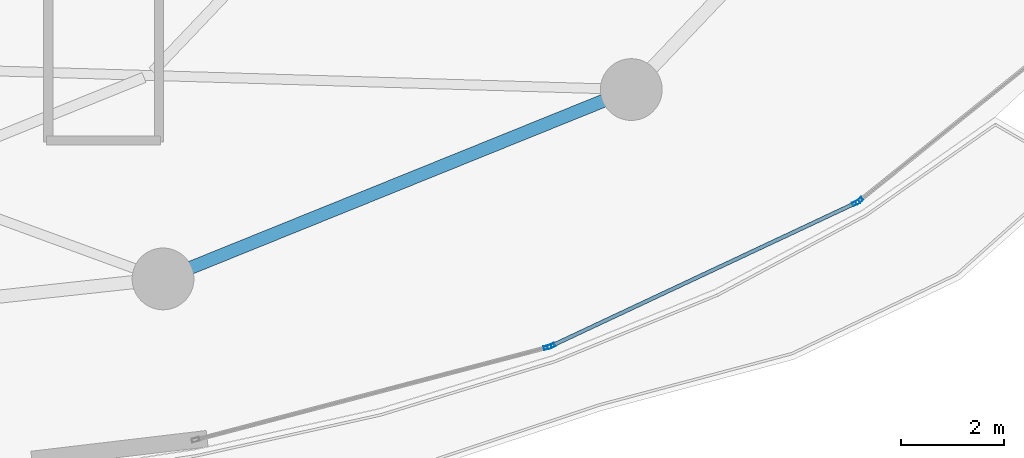
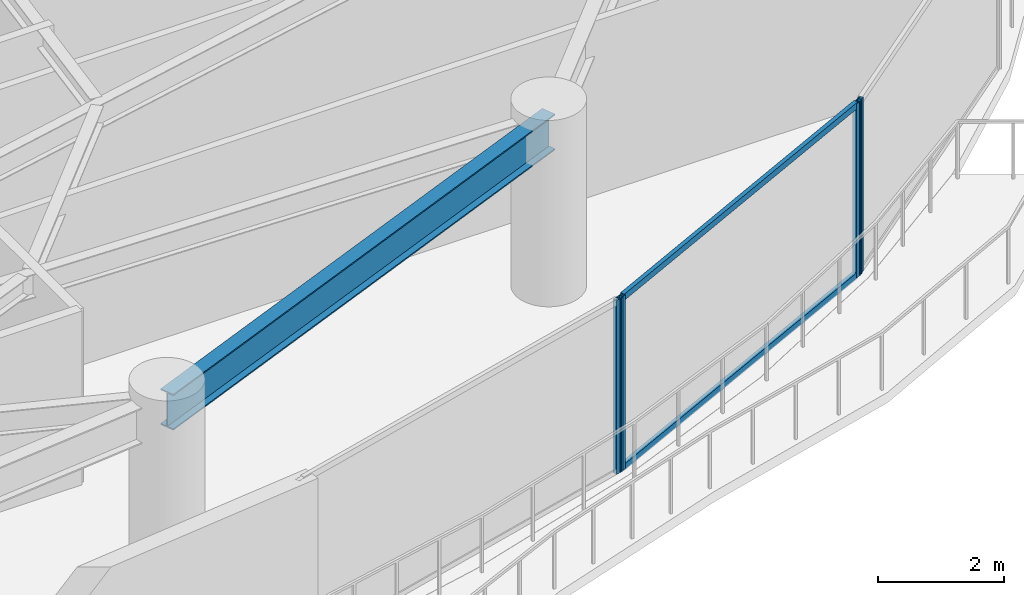
# One storey, part 14 of 34: 6 members, 1 beam, 3 elements without a shape of their own.
"""IFC4 building model written with IfcOpenShell, lengths in metres."""

from ifc_helpers import new_model, si_unit, direction, frame, origin, origin_2d, place, context, subcontext, project, spatial, hollow_rectangle, i_section, extrude, material, layer, layer_set, material_profile, profile_set, type_object, element, aggregate, save


model = new_model("IFC4")

# Units and contexts
model_context = context("Model", 3, precision=1e-05, world=origin(), true_north=direction((0.0, 1.0)))
body_context = subcontext(model_context, "Body", "Model", "MODEL_VIEW")
ifc_project = project(units=[si_unit("LENGTHUNIT", "METRE"), si_unit("AREAUNIT", "SQUARE_METRE"), si_unit("VOLUMEUNIT", "CUBIC_METRE"), si_unit("PLANEANGLEUNIT", "RADIAN"), si_unit("MASSUNIT", "GRAM", prefix="KILO")], contexts=[model_context])

# Site, building, storey
site_placement = place(None, origin())
site = spatial("IfcSite", under=ifc_project, at=site_placement, CompositionType="ELEMENT")
building_placement = place(site_placement, origin())
building = spatial("IfcBuilding", under=site, at=building_placement, Name="Kazevale Care Tower and Concert Hall", CompositionType="ELEMENT")
storey_placement = place(building_placement, frame((0.0, 0.0, 163.800048828125)))
storey = spatial("IfcBuildingStorey", under=building, at=storey_placement, Name="L43", CompositionType="ELEMENT", Elevation=163.800048828125)

# Curtain wall, member
ifc_material_1 = material(Name="Aluminium 6063-T6 and Low-E Glass", Category="aluminium")
ifc_layer = layer(ifc_material_1, 0.179931640625)
ifc_layer_set = layer_set([ifc_layer], Name="Aluminium 6063-T6 and Low-E Glass")
curtain_wall_type = type_object("IfcCurtainWallType", Name="Sheltered Concave Balcony Curtain Wall CW-5", PredefinedType="NOTDEFINED", material=ifc_layer_set)
curtain_wall_1_placement = place(storey_placement, origin())
curtain_wall_1 = element("IfcCurtainWall", 1, at=curtain_wall_1_placement, inside=storey, type_object=curtain_wall_type, Name="cw:L43:f02", PredefinedType="NOTDEFINED")
ifc_material_2 = material(Name="Aluminium 6063-T6", Category="aluminium")
ifc_material_profile_1 = material_profile(ifc_material_2, hollow_rectangle(XDim=0.074951171875, YDim=0.14990234375, WallThickness=0.00390625, at=origin_2d()), Name="ALU75x150x4")
ifc_profile_set_1 = profile_set([ifc_material_profile_1], Name="Aluminium 6063-T6")
member_type_1 = type_object("IfcMemberType", Name="CW-5 Mullion ALU75x150x4", PredefinedType="MULLION", material=ifc_profile_set_1)
member_1_placement = place(storey_placement, frame((69.25927734375, 20.826416015625, 0.0), z_axis=(0.0, 0.0, 1.0), x_axis=(0.626905357502, -0.779095419531, 0.0)))
member_1 = element("IfcMember", 2, at=member_1_placement, type_object=member_type_1, Name="CW-5 mullion 2", PredefinedType="MULLION", context=body_context, shape_type="SweptSolid", body=[
    extrude(hollow_rectangle(XDim=0.074951171875, YDim=0.14990234375, WallThickness=0.00390625, at=origin_2d()), origin(), (0.0, 0.0, 1.0), 3.35986328125),
])
aggregate(curtain_wall_1, [member_1])

# Curtain wall, members
curtain_wall_2_placement = place(storey_placement, origin())
curtain_wall_2 = element("IfcCurtainWall", 3, at=curtain_wall_2_placement, inside=storey, type_object=curtain_wall_type, Name="cw:L43:f03", PredefinedType="NOTDEFINED")
member_2_placement = place(storey_placement, frame((69.196044921875, 20.787109375, 0.0), z_axis=(0.0, 0.0, 1.0), x_axis=(0.425010766963, -0.905188294205, 0.0)))
member_2 = element("IfcMember", 4, at=member_2_placement, type_object=member_type_1, Name="CW-5 mullion 1", PredefinedType="MULLION", context=body_context, shape_type="SweptSolid", body=[
    extrude(hollow_rectangle(XDim=0.074951171875, YDim=0.14990234375, WallThickness=0.00390625, at=origin_2d()), origin(), (0.0, 0.0, 1.0), 3.35986328125),
])
member_3_placement = place(storey_placement, frame((63.27490234375, 18.0068359375, 0.0), z_axis=(0.0, 0.0, 1.0), x_axis=(0.425010766963, -0.905188294205, 0.0)))
member_3 = element("IfcMember", 5, at=member_3_placement, type_object=member_type_1, Name="CW-5 mullion 2", PredefinedType="MULLION", context=body_context, shape_type="SweptSolid", body=[
    extrude(hollow_rectangle(XDim=0.074951171875, YDim=0.14990234375, WallThickness=0.00390625, at=origin_2d()), origin(), (0.0, 0.0, 1.0), 3.35986328125),
])

# Curtain wall, member
curtain_wall_3_placement = place(storey_placement, origin())
curtain_wall_3 = element("IfcCurtainWall", 6, at=curtain_wall_3_placement, inside=storey, type_object=curtain_wall_type, Name="cw:L43:f04", PredefinedType="NOTDEFINED")
member_4_placement = place(storey_placement, frame((63.204833984375, 17.9814453125, 0.0), z_axis=(0.0, 0.0, 1.0), x_axis=(0.254238458229, -0.967141564797, 0.0)))
member_4 = element("IfcMember", 7, at=member_4_placement, type_object=member_type_1, Name="CW-5 mullion 1", PredefinedType="MULLION", context=body_context, shape_type="SweptSolid", body=[
    extrude(hollow_rectangle(XDim=0.074951171875, YDim=0.14990234375, WallThickness=0.00390625, at=origin_2d()), origin(), (0.0, 0.0, 1.0), 3.35986328125),
])
aggregate(curtain_wall_3, [member_4])

# Member
ifc_material_profile_2 = material_profile(ifc_material_2, hollow_rectangle(XDim=0.074951171875, YDim=0.1201171875, WallThickness=0.00390625, at=origin_2d()), Name="ALU75x120x4")
ifc_profile_set_2 = profile_set([ifc_material_profile_2], Name="Aluminium 6063-T6")
member_type_2 = type_object("IfcMemberType", Name="CW-5 Transom ALU75x120x4", PredefinedType="USERDEFINED", material=ifc_profile_set_2)
member_5_placement = place(storey_placement, frame((69.162109375, 20.771240234375, 0.037353515625), z_axis=(-0.90518714704, -0.425013210187, 0.0), x_axis=(0.425013210187, -0.90518714704, 0.0)))
member_5 = element("IfcMember", 8, at=member_5_placement, type_object=member_type_2, Name="CW-5 transom 1.1", ObjectType="TRANSOM", PredefinedType="USERDEFINED", context=body_context, shape_type="SweptSolid", body=[
    extrude(hollow_rectangle(XDim=0.074951171875, YDim=0.1201171875, WallThickness=0.00390625, at=origin_2d()), origin(), (0.0, 0.0, 1.0), 6.46630859375),
])

member_6_placement = place(storey_placement, frame((69.162109375, 20.771240234375, 3.322509765625), z_axis=(-0.90518714704, -0.425013210187, 0.0), x_axis=(0.425013210187, -0.90518714704, 0.0)))
member_6 = element("IfcMember", 9, at=member_6_placement, type_object=member_type_2, Name="CW-5 transom 1.2", ObjectType="TRANSOM", PredefinedType="USERDEFINED", context=body_context, shape_type="SweptSolid", body=[
    extrude(hollow_rectangle(XDim=0.074951171875, YDim=0.1201171875, WallThickness=0.00390625, at=origin_2d()), origin(), (0.0, 0.0, 1.0), 6.46630859375),
])

aggregate(curtain_wall_2, [member_2, member_3, member_5, member_6])

# Beam
ifc_material_3 = material(Name="Steel ASTM A572 Gr 50", Category="steel")
ifc_material_profile_3 = material_profile(ifc_material_3, i_section(OverallWidth=0.256103515625, OverallDepth=0.693115234375, WebThickness=0.014404296875, FlangeThickness=0.023681640625, at=origin_2d()), Name="W690x170")
ifc_profile_set_3 = profile_set([ifc_material_profile_3], Name="Steel ASTM A572 Gr 50")
beam_type = type_object("IfcBeamType", Name="Waist Ring Beam W690x170", PredefinedType="BEAM", material=ifc_profile_set_3)
beam_placement = place(storey_placement, frame((55.72998046875, 19.31005859375, 3.013427734375), z_axis=(0.927068687828, 0.374891515041, 0.0), x_axis=(-0.374891515041, 0.927068687828, 0.0)))
element("IfcBeam", 10, at=beam_placement, inside=storey, type_object=beam_type, Name="beam:L43:ring:14", PredefinedType="BEAM", context=body_context, shape_type="SweptSolid", body=[
    extrude(i_section(OverallWidth=0.256103515625, OverallDepth=0.693115234375, WebThickness=0.014404296875, FlangeThickness=0.023681640625, at=origin_2d()), origin(), (0.0, 0.0, 1.0), 9.81591796875),
])

save(model, "model.ifc")
